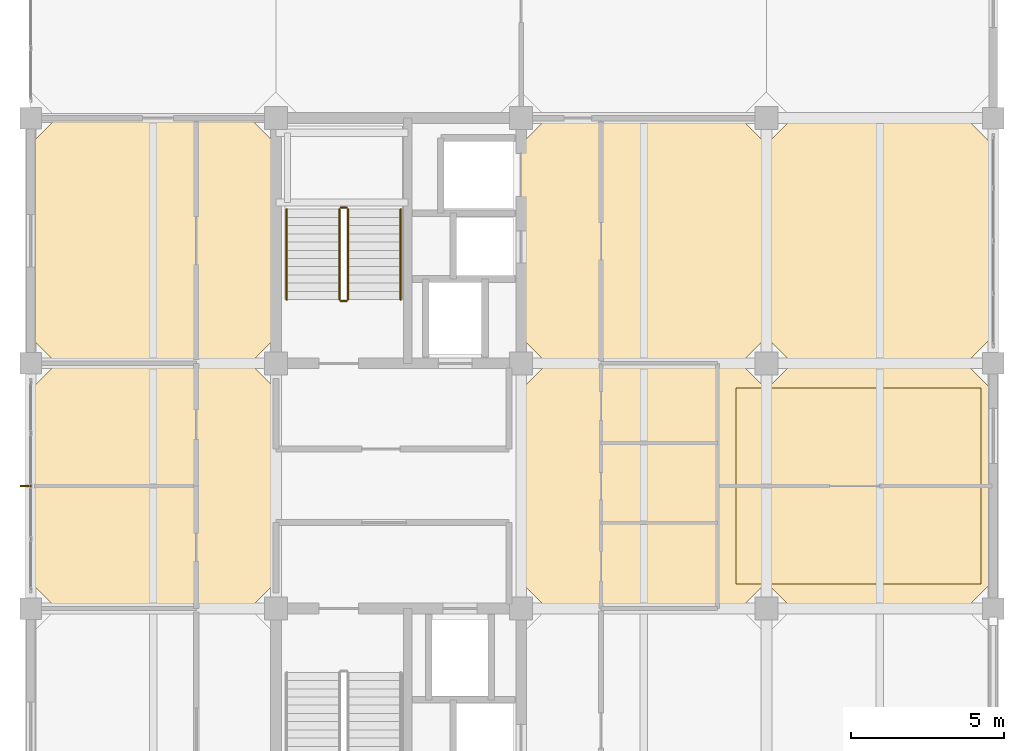
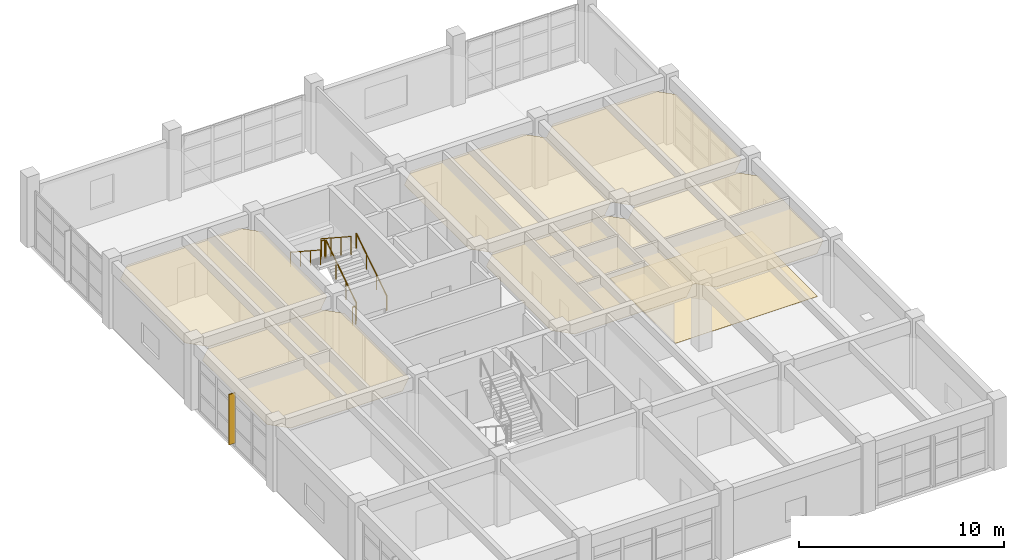
# One storey, part 18 of 19: 7 coverings, 6 railings, 1 shading device.
"""IFC4 building model written with IfcOpenShell, lengths in metres."""

import ifcopenshell
import ifcopenshell.guid

model = None  # the IFC model being written
_history = None  # IfcOwnerHistory: only IFC2X3 demands one
_inside = {}  # id of a spatial element -> (the spatial element, [elements in it])
_under = {}  # id of a project, library or spatial element -> (it, [spatial elements below it])
_declared = {}  # id of a project -> (the project, [libraries it declares])
_typed = {}  # id of a type object -> (the type object, [elements of that type])
_made_of = {}  # id of a material, layer set ... -> (it, [elements and type objects made of it])


def new_model(schema):
    """Start an empty IFC model of exactly this schema.

    Asked for "IFC4X3", IfcOpenShell would pick the latest addendum, in which some entities
    have other attributes; the version numbers below select the first issue.
    IFC2X3 requires an IfcOwnerHistory on every rooted entity: one is made here for all.
    """
    global model, _history
    if schema == "IFC4X3":
        model = ifcopenshell.file(schema_version=(4, 3, 0, 0))
    else:
        model = ifcopenshell.file(schema=schema)
    _inside.clear()
    _under.clear()
    _declared.clear()
    _typed.clear()
    _made_of.clear()
    _history = None
    if model.schema == "IFC2X3":
        org = make("IfcOrganization", Name="unknown")
        user = make(
            "IfcPersonAndOrganization",
            ThePerson=make("IfcPerson", FamilyName="unknown"),
            TheOrganization=org,
        )
        app = make(
            "IfcApplication",
            ApplicationDeveloper=org,
            Version="unknown",
            ApplicationFullName="unknown",
            ApplicationIdentifier="unknown",
        )
        _history = make(
            "IfcOwnerHistory",
            OwningUser=user,
            OwningApplication=app,
            ChangeAction="ADDED",
            CreationDate=0,
        )
    return model


def make(cls, **values):
    """One entity of the class cls with the attributes given. An attribute that is None is left unset."""
    return model.create_entity(
        cls, **{name: value for name, value in values.items() if value is not None}
    )


def rooted(cls, **values):
    """An entity with a GlobalId (a new one), such as an element, a storey or a relation."""
    return make(cls, GlobalId=ifcopenshell.guid.new(), OwnerHistory=_history, **values)


def si_unit(unit_type, name, prefix=None):
    """IfcSIUnit, for example si_unit("LENGTHUNIT", "METRE", prefix="MILLI")."""
    return make("IfcSIUnit", UnitType=unit_type, Prefix=prefix, Name=name)


def assignment(units):
    """IfcUnitAssignment: the units of a project."""
    return None if units is None else make("IfcUnitAssignment", Units=units)


def point(xyz):
    """IfcCartesianPoint."""
    return None if xyz is None else make("IfcCartesianPoint", Coordinates=xyz)


def direction(xyz):
    """IfcDirection."""
    return None if xyz is None else make("IfcDirection", DirectionRatios=xyz)


def frame(location, z_axis=None, x_axis=None):
    """IfcAxis2Placement3D, a coordinate frame: its origin and axes. An axis left out is left unset."""
    return make(
        "IfcAxis2Placement3D",
        Location=point(location),
        Axis=direction(z_axis),
        RefDirection=direction(x_axis),
    )


def frame_2d(location, x_axis=None):
    """IfcAxis2Placement2D, a coordinate frame in the plane: its origin and x axis."""
    return make(
        "IfcAxis2Placement2D", Location=point(location), RefDirection=direction(x_axis)
    )


def origin():
    """The frame at (0, 0, 0) with its axes left unset."""
    return frame((0.0, 0.0, 0.0))


def origin_2d():
    """The frame at (0, 0) in the plane with its x axis left unset."""
    return frame_2d((0.0, 0.0))


def place(relative_to, where):
    """IfcLocalPlacement: puts the frame where relative to a parent placement (None: the world)."""
    return make(
        "IfcLocalPlacement", PlacementRelTo=relative_to, RelativePlacement=where
    )


def context(
    kind, dimensions, precision=None, world=None, true_north=None, identifier=None
):
    """IfcGeometricRepresentationContext, for example the 3D "Model" context."""
    return make(
        "IfcGeometricRepresentationContext",
        ContextIdentifier=identifier,
        ContextType=kind,
        CoordinateSpaceDimension=dimensions,
        Precision=precision,
        WorldCoordinateSystem=world,
        TrueNorth=true_north,
    )


def subcontext(parent, identifier, kind, view, scale=None):
    """IfcGeometricRepresentationSubContext, for example "Body" below "Model"."""
    return make(
        "IfcGeometricRepresentationSubContext",
        ContextIdentifier=identifier,
        ContextType=kind,
        ParentContext=parent,
        TargetScale=scale,
        TargetView=view,
    )


def project(units=None, contexts=None):
    """IfcProject with its units and contexts."""
    return rooted(
        "IfcProject",
        Name="project",
        RepresentationContexts=contexts,
        UnitsInContext=assignment(units),
    )


def spatial(cls, under=None, at=None, **own):
    """A site, building, storey or space (cls), placed at a placement, below another one or the project."""
    s = rooted(cls, ObjectPlacement=at, **own)
    if under is not None:
        _under.setdefault(under.id(), (under, []))[1].append(s)
    return s


def polyline(points):
    """IfcPolyline through the points."""
    return make("IfcPolyline", Points=[point(p) for p in points])


def profile(cls, at=None, kind="AREA", **sizes):
    """A parametric profile (cls). Its sizes go by their IFC names, for example OverallWidth=200.0."""
    return make(cls, ProfileType=kind, Position=at, **sizes)


def rectangle(**sizes):
    """IfcRectangleProfileDef."""
    return profile("IfcRectangleProfileDef", **sizes)


def circle(**sizes):
    """IfcCircleProfileDef."""
    return profile("IfcCircleProfileDef", **sizes)


def outline(outer, holes=None, kind="AREA"):
    """IfcArbitraryClosedProfileDef: a profile drawn as a closed curve; with holes, ...WithVoids."""
    if holes is None:
        return make("IfcArbitraryClosedProfileDef", ProfileType=kind, OuterCurve=outer)
    return make(
        "IfcArbitraryProfileDefWithVoids",
        ProfileType=kind,
        OuterCurve=outer,
        InnerCurves=holes,
    )


def extrude(swept, where, along, depth):
    """IfcExtrudedAreaSolid: the profile swept, set in the frame where, extruded along a direction by depth."""
    return make(
        "IfcExtrudedAreaSolid",
        SweptArea=swept,
        Position=where,
        ExtrudedDirection=direction(along),
        Depth=depth,
    )


def shape(context_of_items, identifier, shape_type, items):
    """IfcShapeRepresentation: the items that make up one representation, for example the "Body"."""
    return make(
        "IfcShapeRepresentation",
        ContextOfItems=context_of_items,
        RepresentationIdentifier=identifier,
        RepresentationType=shape_type,
        Items=items,
    )


def material(Name=None, Category=None):
    """IfcMaterial."""
    return make("IfcMaterial", Name=Name, Category=Category)


def layer(
    of_material, thickness, ventilated=None, Name=None, Category=None, Priority=None
):
    """IfcMaterialLayer: one layer of a wall or slab, of a material (None: an air gap)."""
    return make(
        "IfcMaterialLayer",
        Material=of_material,
        LayerThickness=thickness,
        IsVentilated=ventilated,
        Name=Name,
        Category=Category,
        Priority=Priority,
    )


def layer_set(layers, Name=None):
    """IfcMaterialLayerSet."""
    return make("IfcMaterialLayerSet", MaterialLayers=layers, LayerSetName=Name)


def made_of(thing, what):
    """Note that an element or type object is made of a material, layer set ...; save() writes the relation."""
    if what is not None:
        _made_of.setdefault(what.id(), (what, []))[1].append(thing)
    return thing


def type_object(cls, material=None, **own):
    """A type object (cls), such as IfcWallType, which elements share."""
    return made_of(rooted(cls, **own), material)


def element(
    cls,
    number,
    at=None,
    inside=None,
    cuts=None,
    type_object=None,
    material=None,
    context=None,
    identifier="Body",
    shape_type=None,
    held_by="IfcProductDefinitionShape",
    body=None,
    shapes=None,
    **own,
):
    """One element of the class cls, such as IfcWall. Its Tag is "e" and its number.

    at: its placement. inside: the storey or other place that contains it. cuts: it is an
    opening in that element (IfcRelVoidsElement). A single representation is given by context,
    identifier, shape_type and body (its items); several are given by shapes. held_by: the class
    of the entity that holds the representations. save() writes the other relations.
    """
    e = rooted(cls, Tag="e%d" % number, ObjectPlacement=at, **own)
    if body is not None:
        shapes = [shape(context, identifier, shape_type, body)]
    if shapes is not None:
        e.Representation = make(held_by, Representations=shapes)
    if inside is not None:
        _inside.setdefault(inside.id(), (inside, []))[1].append(e)
    if cuts is not None:
        rooted(
            "IfcRelVoidsElement", RelatingBuildingElement=cuts, RelatedOpeningElement=e
        )
    if type_object is not None:
        _typed.setdefault(type_object.id(), (type_object, []))[1].append(e)
    return made_of(e, material)


def aggregate(whole, parts):
    """IfcRelAggregates: a whole, such as a stair, and the parts it consists of."""
    return rooted("IfcRelAggregates", RelatingObject=whole, RelatedObjects=parts)


def save(model, path):
    """Write the relations noted so far, then the file.

    IfcRelAggregates (storeys below a building ...), IfcRelContainedInSpatialStructure (elements
    in a storey), IfcRelDefinesByType, IfcRelAssociatesMaterial and IfcRelDeclares: one each for
    every whole, place, type object, material and project.
    """
    for whole, parts in _under.values():
        aggregate(whole, parts)
    for where, things in _inside.values():
        rooted(
            "IfcRelContainedInSpatialStructure",
            RelatedElements=things,
            RelatingStructure=where,
        )
    for kind, things in _typed.values():
        rooted("IfcRelDefinesByType", RelatedObjects=things, RelatingType=kind)
    for what, things in _made_of.values():
        rooted("IfcRelAssociatesMaterial", RelatedObjects=things, RelatingMaterial=what)
    for by, libraries in _declared.values():
        rooted("IfcRelDeclares", RelatingContext=by, RelatedDefinitions=libraries)
    model.write(path)


model = new_model("IFC4")

# Units and contexts
model_context = context("Model", 3, precision=1e-05, world=origin(), true_north=direction((0.0, 1.0)))
body_context = subcontext(model_context, "Body", "Model", "MODEL_VIEW")
ifc_project = project(units=[si_unit("LENGTHUNIT", "METRE"), si_unit("AREAUNIT", "SQUARE_METRE"), si_unit("VOLUMEUNIT", "CUBIC_METRE"), si_unit("PLANEANGLEUNIT", "RADIAN"), si_unit("MASSUNIT", "GRAM", prefix="KILO")], contexts=[model_context])

# Site, building, storey
site_placement = place(None, origin())
site = spatial("IfcSite", under=ifc_project, at=site_placement, CompositionType="ELEMENT")
building_placement = place(site_placement, origin())
building = spatial("IfcBuilding", under=site, at=building_placement, Name="Canggui Botanical Conservatory", CompositionType="ELEMENT")
storey_placement = place(building_placement, frame((0.0, 0.0, 44.39990234375)))
storey = spatial("IfcBuildingStorey", under=building, at=storey_placement, Name="L11", CompositionType="ELEMENT", Elevation=44.39990234375)

# Coverings
ifc_material_1 = material(Name="Mineral Fibre Acoustic Board")
ifc_layer_1 = layer(ifc_material_1, 0.014892578125, Name="Mineral Fibre Acoustic Board")
ifc_layer_set_1 = layer_set([ifc_layer_1], Name="Mineral Fibre Acoustic Board")
covering_type_1 = type_object("IfcCoveringType", Name="COV-CEIL-15", PredefinedType="CEILING", material=ifc_layer_set_1)
covering_1_placement = place(storey_placement, frame((0.0, 0.0, 3.195068359375)))
element("IfcCovering", 1, at=covering_1_placement, inside=storey, type_object=covering_type_1, Name="Suspended Acoustic Ceiling L11-146-58", PredefinedType="CEILING", context=body_context, shape_type="SweptSolid", body=[
    extrude(outline(polyline([(146.85009765625, 58.0), (153.14990234375, 58.0), (154.0, 58.85009765625), (154.0, 65.14990234375), (153.14990234375, 66.0), (146.85009765625, 66.0), (146.0, 65.14990234375), (146.0, 58.85009765625), (146.85009765625, 58.0)])), origin(), (0.0, 0.0, 1.0), 0.01513671875),
])
covering_2_placement = place(storey_placement, frame((0.0, 0.0, 3.195068359375)))
element("IfcCovering", 2, at=covering_2_placement, inside=storey, type_object=covering_type_1, Name="Suspended Acoustic Ceiling L11-162-58", PredefinedType="CEILING", context=body_context, shape_type="SweptSolid", body=[
    extrude(outline(polyline([(162.85009765625, 58.0), (169.14990234375, 58.0), (170.0, 58.85009765625), (170.0, 65.14990234375), (169.14990234375, 66.0), (162.85009765625, 66.0), (162.0, 65.14990234375), (162.0, 58.85009765625), (162.85009765625, 58.0)])), origin(), (0.0, 0.0, 1.0), 0.01513671875),
])
covering_3_placement = place(storey_placement, frame((0.0, 0.0, 3.195068359375)))
element("IfcCovering", 3, at=covering_3_placement, inside=storey, type_object=covering_type_1, Name="Suspended Acoustic Ceiling L11-170-50", PredefinedType="CEILING", context=body_context, shape_type="SweptSolid", body=[
    extrude(outline(polyline([(170.85009765625, 50.0), (176.5, 50.0), (177.35009765625, 50.85009765625), (177.35009765625, 57.14990234375), (176.5, 58.0), (170.85009765625, 58.0), (170.0, 57.14990234375), (170.0, 50.85009765625), (170.85009765625, 50.0)])), origin(), (0.0, 0.0, 1.0), 0.01513671875),
])
ifc_material_2 = material(Name="Perforated Gypsum Acoustic Panel")
ifc_layer_2 = layer(ifc_material_2, 0.02001953125, Name="Perforated Gypsum Acoustic Panel")
ifc_layer_set_2 = layer_set([ifc_layer_2], Name="Perforated Gypsum Acoustic Panel")
covering_type_2 = type_object("IfcCoveringType", Name="COV-CEIL-20", PredefinedType="CEILING", material=ifc_layer_set_2)
covering_4_placement = place(storey_placement, frame((0.0, 0.0, 3.190185546875)))
element("IfcCovering", 4, at=covering_4_placement, inside=storey, type_object=covering_type_2, Name="Suspended Acoustic Ceiling L11-146-50", PredefinedType="CEILING", context=body_context, shape_type="SweptSolid", body=[
    extrude(outline(polyline([(146.85009765625, 50.0), (153.14990234375, 50.0), (154.0, 50.85009765625), (154.0, 57.14990234375), (153.14990234375, 58.0), (146.85009765625, 58.0), (146.0, 57.14990234375), (146.0, 50.85009765625), (146.85009765625, 50.0)])), origin(), (0.0, 0.0, 1.0), 0.02001953125),
])
covering_5_placement = place(storey_placement, frame((0.0, 0.0, 3.190185546875)))
element("IfcCovering", 5, at=covering_5_placement, inside=storey, type_object=covering_type_2, Name="Suspended Acoustic Ceiling L11-162-50", PredefinedType="CEILING", context=body_context, shape_type="SweptSolid", body=[
    extrude(outline(polyline([(162.85009765625, 50.0), (169.14990234375, 50.0), (170.0, 50.85009765625), (170.0, 57.14990234375), (169.14990234375, 58.0), (162.85009765625, 58.0), (162.0, 57.14990234375), (162.0, 50.85009765625), (162.85009765625, 50.0)])), origin(), (0.0, 0.0, 1.0), 0.02001953125),
])
covering_6_placement = place(storey_placement, frame((0.0, 0.0, 3.190185546875)))
element("IfcCovering", 6, at=covering_6_placement, inside=storey, type_object=covering_type_2, Name="Suspended Acoustic Ceiling L11-170-58", PredefinedType="CEILING", context=body_context, shape_type="SweptSolid", body=[
    extrude(outline(polyline([(170.85009765625, 58.0), (176.5, 58.0), (177.35009765625, 58.85009765625), (177.35009765625, 65.14990234375), (176.5, 66.0), (170.85009765625, 66.0), (170.0, 65.14990234375), (170.0, 58.85009765625), (170.85009765625, 58.0)])), origin(), (0.0, 0.0, 1.0), 0.02001953125),
])
ifc_material_3 = material(Name="Seamless Laboratory Epoxy Resin")
ifc_layer_3 = layer(ifc_material_3, 0.011962890625, Name="Seamless Laboratory Epoxy Resin")
ifc_layer_set_3 = layer_set([ifc_layer_3], Name="Seamless Laboratory Epoxy Resin")
covering_type_3 = type_object("IfcCoveringType", Name="COV-FLR-12", PredefinedType="FLOORING", material=ifc_layer_set_3)
covering_7_placement = place(storey_placement, origin())
element("IfcCovering", 7, at=covering_7_placement, inside=storey, type_object=covering_type_3, Name="Laboratory Finish Flooring L11", PredefinedType="FLOORING", context=body_context, shape_type="SweptSolid", body=[
    extrude(outline(polyline([(169.0, 50.800048828125), (177.0, 50.800048828125), (177.0, 57.199951171875), (169.0, 57.199951171875), (169.0, 50.800048828125)])), origin(), (0.0, 0.0, 1.0), 0.01220703125),
])

# Railings
ifc_material_4 = material(Name="Stainless Steel 304", Category="steel")
railing_type_1 = type_object("IfcRailingType", Name="RAIL-GUARD-1100", PredefinedType="BALUSTRADE", material=ifc_material_4)
railing_1_placement = place(storey_placement, frame((156.35009765625, 60.080078125, 0.175048828125)))
element("IfcRailing", 8, at=railing_1_placement, inside=storey, type_object=railing_type_1, Name="L11 ST-T2 stair guard 1", PredefinedType="BALUSTRADE", context=body_context, shape_type="SweptSolid", body=[
    extrude(circle(Radius=0.02392578125, at=origin_2d()), frame((0.0, 0.0, 1.076171875), z_axis=(0.0, 0.837293178872, 0.54675417933), x_axis=(-1.0, 0.0, 0.0)), (0.0, 0.0, 1.0), 3.520751953125),
    extrude(circle(Radius=0.02099609375, at=origin_2d()), origin(), (0.0, 0.0, 1.0), 1.052001953125),
    extrude(circle(Radius=0.02099609375, at=origin_2d()), frame((0.0, 0.982666015625, 0.6416015625)), (0.0, 0.0, 1.0), 1.052001953125),
    extrude(circle(Radius=0.02099609375, at=origin_2d()), frame((0.0, 1.96533203125, 1.283447265625)), (0.0, 0.0, 1.0), 1.052001953125),
    extrude(circle(Radius=0.02099609375, at=origin_2d()), frame((0.0, 2.947998046875, 1.925048828125)), (0.0, 0.0, 1.0), 1.052001953125),
])
railing_2_placement = place(storey_placement, frame((156.300048828125, 63.077880859375, 2.10009765625)))
element("IfcRailing", 9, at=railing_2_placement, inside=storey, type_object=railing_type_1, Name="L11 ST-T2 stair guard 2", PredefinedType="BALUSTRADE", context=body_context, shape_type="SweptSolid", body=[
    extrude(circle(Radius=0.02392578125, at=origin_2d()), frame((0.0, 0.0, 1.076171875), z_axis=(-1.0, 0.0, 0.0), x_axis=(0.0, -1.0, 0.0)), (0.0, 0.0, 1.0), 0.179931640625),
    extrude(circle(Radius=0.02099609375, at=origin_2d()), origin(), (0.0, 0.0, 1.0), 1.052001953125),
    extrude(circle(Radius=0.02099609375, at=origin_2d()), frame((-0.179931640625, 0.0, 0.0)), (0.0, 0.0, 1.0), 1.052001953125),
])
railing_3_placement = place(storey_placement, frame((156.070068359375, 63.028076171875, 2.275146484375)))
element("IfcRailing", 10, at=railing_3_placement, inside=storey, type_object=railing_type_1, Name="L11 ST-T2 stair guard 3", PredefinedType="BALUSTRADE", context=body_context, shape_type="SweptSolid", body=[
    extrude(circle(Radius=0.02392578125, at=origin_2d()), frame((0.0, 0.0, 1.076171875), z_axis=(0.0, -0.837293178872, 0.54675417933), x_axis=(1.0, 0.0, 0.0)), (0.0, 0.0, 1.0), 3.520751953125),
    extrude(circle(Radius=0.02099609375, at=origin_2d()), origin(), (0.0, 0.0, 1.0), 1.052001953125),
    extrude(circle(Radius=0.02099609375, at=origin_2d()), frame((0.0, -0.982666015625, 0.6416015625)), (0.0, 0.0, 1.0), 1.052001953125),
    extrude(circle(Radius=0.02099609375, at=origin_2d()), frame((0.0, -1.96533203125, 1.283447265625)), (0.0, 0.0, 1.0), 1.052001953125),
    extrude(circle(Radius=0.02099609375, at=origin_2d()), frame((0.0, -2.947998046875, 1.925048828125)), (0.0, 0.0, 1.0), 1.052001953125),
])
railing_4_placement = place(storey_placement, frame((156.300048828125, 60.030029296875, 0.0)))
element("IfcRailing", 11, at=railing_4_placement, inside=storey, type_object=railing_type_1, Name="L11 ST-T2 stair guard 4", PredefinedType="BALUSTRADE", context=body_context, shape_type="SweptSolid", body=[
    extrude(circle(Radius=0.02392578125, at=origin_2d()), frame((0.0, 0.0, 1.076171875), z_axis=(-1.0, 0.0, 0.0), x_axis=(0.0, -1.0, 0.0)), (0.0, 0.0, 1.0), 0.179931640625),
    extrude(circle(Radius=0.02099609375, at=origin_2d()), origin(), (0.0, 0.0, 1.0), 1.052001953125),
    extrude(circle(Radius=0.02099609375, at=origin_2d()), frame((-0.179931640625, 0.0, 0.0)), (0.0, 0.0, 1.0), 1.052001953125),
])
railing_type_2 = type_object("IfcRailingType", Name="RAIL-HAND-900", PredefinedType="HANDRAIL", material=ifc_material_4)
railing_5_placement = place(storey_placement, frame((158.070068359375, 60.080078125, 0.175048828125)))
element("IfcRailing", 12, at=railing_5_placement, inside=storey, type_object=railing_type_2, Name="L11 ST-T2 stair handrail 1", PredefinedType="HANDRAIL", context=body_context, shape_type="SweptSolid", body=[
    extrude(circle(Radius=0.02392578125, at=origin_2d()), frame((0.0, 0.0, 0.8759765625), z_axis=(0.0, 0.837293178872, 0.54675417933), x_axis=(-1.0, 0.0, 0.0)), (0.0, 0.0, 1.0), 3.520751953125),
    extrude(circle(Radius=0.02099609375, at=origin_2d()), origin(), (0.0, 0.0, 1.0), 0.851806640625),
    extrude(circle(Radius=0.02099609375, at=origin_2d()), frame((0.0, 0.982666015625, 0.6416015625)), (0.0, 0.0, 1.0), 0.851806640625),
    extrude(circle(Radius=0.02099609375, at=origin_2d()), frame((0.0, 1.96533203125, 1.283447265625)), (0.0, 0.0, 1.0), 0.851806640625),
    extrude(circle(Radius=0.02099609375, at=origin_2d()), frame((0.0, 2.947998046875, 1.925048828125)), (0.0, 0.0, 1.0), 0.851806640625),
])
railing_6_placement = place(storey_placement, frame((154.35009765625, 63.028076171875, 2.275146484375)))
element("IfcRailing", 13, at=railing_6_placement, inside=storey, type_object=railing_type_2, Name="L11 ST-T2 stair handrail 2", PredefinedType="HANDRAIL", context=body_context, shape_type="SweptSolid", body=[
    extrude(circle(Radius=0.02392578125, at=origin_2d()), frame((0.0, 0.0, 0.8759765625), z_axis=(0.0, -0.837293178872, 0.54675417933), x_axis=(1.0, 0.0, 0.0)), (0.0, 0.0, 1.0), 3.520751953125),
    extrude(circle(Radius=0.02099609375, at=origin_2d()), origin(), (0.0, 0.0, 1.0), 0.851806640625),
    extrude(circle(Radius=0.02099609375, at=origin_2d()), frame((0.0, -0.982666015625, 0.6416015625)), (0.0, 0.0, 1.0), 0.851806640625),
    extrude(circle(Radius=0.02099609375, at=origin_2d()), frame((0.0, -1.96533203125, 1.283447265625)), (0.0, 0.0, 1.0), 0.851806640625),
    extrude(circle(Radius=0.02099609375, at=origin_2d()), frame((0.0, -2.947998046875, 1.925048828125)), (0.0, 0.0, 1.0), 0.851806640625),
])

# Shading device
ifc_material_5 = material(Name="Anodised Aluminium", Category="aluminium")
shading_device_type = type_object("IfcShadingDeviceType", Name="SHD-FIN02", PredefinedType="AWNING", material=ifc_material_5)
shading_device_placement = place(storey_placement, frame((145.8349609375, 54.0, 0.2001953125), z_axis=(0.0, 0.0, 1.0), x_axis=(0.0, 1.0, 0.0)))
element("IfcShadingDevice", 14, at=shading_device_placement, inside=storey, type_object=shading_device_type, Name="Solar Shading Fin CW-TWR-L11-07", PredefinedType="AWNING", context=body_context, shape_type="SweptSolid", body=[
    extrude(rectangle(XDim=0.06005859375, YDim=0.360107421875, at=origin_2d()), origin(), (0.0, 0.0, 1.0), 3.0),
])

save(model, "model.ifc")
